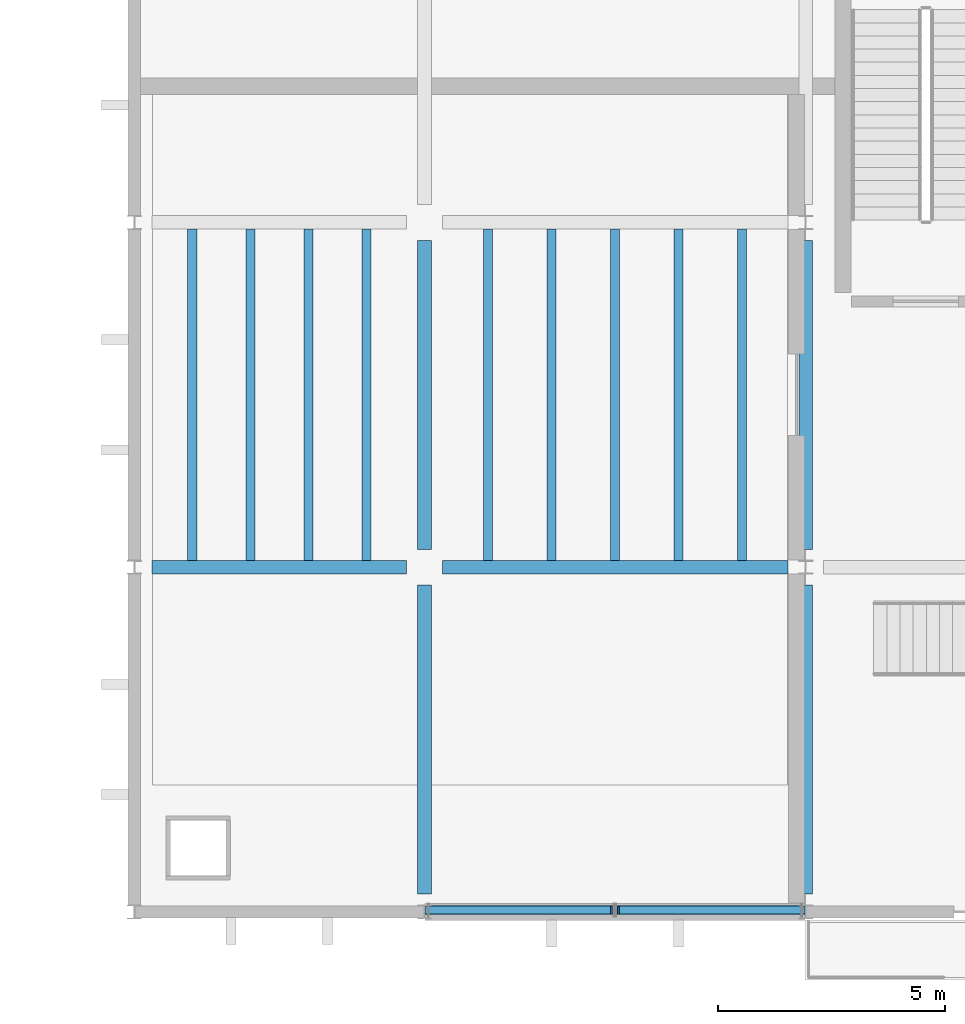
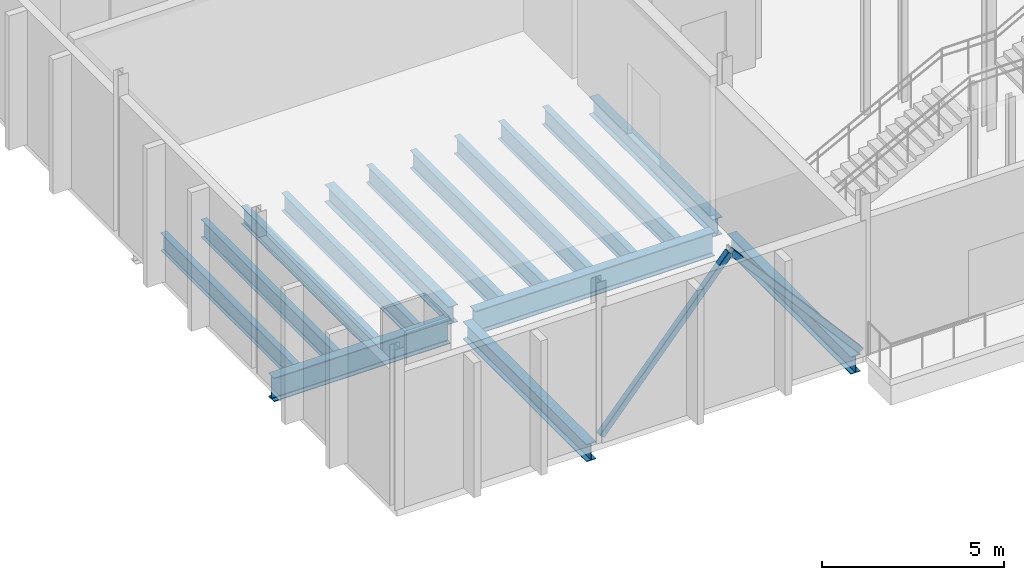
# One storey, part 20 of 95: 15 beams, 2 members.
"""IFC4 building model written with IfcOpenShell, lengths in metres."""

from ifc_helpers import new_model, si_unit, direction, frame, origin, origin_2d, place, context, subcontext, project, spatial, hollow_rectangle, i_section, extrude, material, material_profile, profile_set, type_object, element, save


model = new_model("IFC4")

# Units and contexts
model_context = context("Model", 3, precision=1e-05, world=origin(), true_north=direction((0.0, 1.0)))
body_context = subcontext(model_context, "Body", "Model", "MODEL_VIEW")
ifc_project = project(units=[si_unit("LENGTHUNIT", "METRE"), si_unit("AREAUNIT", "SQUARE_METRE"), si_unit("VOLUMEUNIT", "CUBIC_METRE"), si_unit("PLANEANGLEUNIT", "RADIAN"), si_unit("MASSUNIT", "GRAM", prefix="KILO")], contexts=[model_context])

# Site, building, storey
site_placement = place(None, origin())
site = spatial("IfcSite", under=ifc_project, at=site_placement, CompositionType="ELEMENT")
building_placement = place(site_placement, origin())
building = spatial("IfcBuilding", under=site, at=building_placement, Name="Shengluoqiao Park Theatre", CompositionType="ELEMENT")
storey_placement = place(building_placement, origin())
storey = spatial("IfcBuildingStorey", under=building, at=storey_placement, Name="L00", CompositionType="ELEMENT", Elevation=0.0)

# Beams
ifc_material_1 = material(Name="Steel Q355", Category="steel")
ifc_material_profile_1 = material_profile(ifc_material_1, i_section(OverallWidth=0.300048828125, OverallDepth=0.587890625, WebThickness=0.011962890625, FlangeThickness=0.02001953125, FilletRadius=0.02392578125, at=origin_2d()), Name="HM 588x300x12x20")
ifc_profile_set_1 = profile_set([ifc_material_profile_1], Name="Steel Q355")
beam_type_1 = type_object("IfcBeamType", Name="STR-BM-G-HM588", PredefinedType="BEAM", material=ifc_profile_set_1)
for number, where, z_axis, x_axis, name in (
    (1, (19.199951171875, 0.39404296875, -0.634033203125), (0.0, 1.0, 0.0), (-1.0, 0.0, 0.0), "L00 Transverse Girder 00195"),
    (2, (19.199951171875, 7.993896484375, -0.634033203125), (0.0, 1.0, 0.0), (-1.0, 0.0, 0.0), "L00 Transverse Girder 00196"),
    (3, (27.60009765625, 0.39404296875, -0.634033203125), (0.0, 1.0, 0.0), (-1.0, 0.0, 0.0), "L00 Transverse Girder 00198"),
    (4, (27.60009765625, 7.993896484375, -0.634033203125), (0.0, 1.0, 0.0), (-1.0, 0.0, 0.0), "L00 Transverse Girder 00199"),
):
    element("IfcBeam", number, at=place(storey_placement, frame(where, z_axis=z_axis, x_axis=x_axis)), inside=storey, type_object=beam_type_1, Name=name, PredefinedType="BEAM", context=body_context, shape_type="SweptSolid", body=[
        extrude(i_section(OverallWidth=0.300048828125, OverallDepth=0.587890625, WebThickness=0.011962890625, FlangeThickness=0.02001953125, FilletRadius=0.02392578125, at=origin_2d()), origin(), (0.0, 0.0, 1.0), 6.81201171875),
    ])
ifc_material_2 = material(Name="Steel Q390", Category="steel")
ifc_material_profile_2 = material_profile(ifc_material_2, i_section(OverallWidth=0.300048828125, OverallDepth=0.800048828125, WebThickness=0.013916015625, FlangeThickness=0.02587890625, FilletRadius=0.02587890625, at=origin_2d()), Name="HN 800x300x14x26")
ifc_profile_set_2 = profile_set([ifc_material_profile_2], Name="Steel Q390")
beam_type_2 = type_object("IfcBeamType", Name="STR-BM-G-HN800", PredefinedType="BEAM", material=ifc_profile_set_2)
beam_1_placement = place(storey_placement, frame((13.194091796875, 7.60009765625, -0.739990234375), z_axis=(1.0, 0.0, 0.0), x_axis=(0.0, 1.0, 0.0)))
element("IfcBeam", 5, at=beam_1_placement, inside=storey, type_object=beam_type_2, Name="L00 Primary Girder 00191", PredefinedType="BEAM", context=body_context, shape_type="SweptSolid", body=[
    extrude(i_section(OverallWidth=0.300048828125, OverallDepth=0.800048828125, WebThickness=0.013916015625, FlangeThickness=0.02587890625, FilletRadius=0.02587890625, at=origin_2d()), origin(), (0.0, 0.0, 1.0), 5.61181640625),
])
beam_2_placement = place(storey_placement, frame((19.593994140625, 7.60009765625, -0.739990234375), z_axis=(1.0, 0.0, 0.0), x_axis=(0.0, 1.0, 0.0)))
element("IfcBeam", 6, at=beam_2_placement, inside=storey, type_object=beam_type_2, Name="L00 Primary Girder 00192", PredefinedType="BEAM", context=body_context, shape_type="SweptSolid", body=[
    extrude(i_section(OverallWidth=0.300048828125, OverallDepth=0.800048828125, WebThickness=0.013916015625, FlangeThickness=0.02587890625, FilletRadius=0.02587890625, at=origin_2d()), origin(), (0.0, 0.0, 1.0), 7.612060546875),
])
ifc_material_profile_3 = material_profile(ifc_material_1, i_section(OverallWidth=0.199951171875, OverallDepth=0.60009765625, WebThickness=0.010986328125, FlangeThickness=0.01708984375, FilletRadius=0.02001953125, at=origin_2d()), Name="HN 600x200x11x17")
ifc_profile_set_3 = profile_set([ifc_material_profile_3], Name="Steel Q355")
beam_type_3 = type_object("IfcBeamType", Name="STR-BM-J-HN600", PredefinedType="JOIST", material=ifc_profile_set_3)
for number, where, z_axis, x_axis, name in (
    (7, (14.080078125, 7.7451171875, -0.639892578125), (0.0, 1.0, 0.0), (-1.0, 0.0, 0.0), "L00 Composite Joist 00201"),
    (8, (15.360107421875, 7.7451171875, -0.639892578125), (0.0, 1.0, 0.0), (-1.0, 0.0, 0.0), "L00 Composite Joist 00202"),
    (9, (16.639892578125, 7.7451171875, -0.639892578125), (0.0, 1.0, 0.0), (-1.0, 0.0, 0.0), "L00 Composite Joist 00203"),
    (10, (17.919921875, 7.7451171875, -0.639892578125), (0.0, 1.0, 0.0), (-1.0, 0.0, 0.0), "L00 Composite Joist 00204"),
    (11, (20.60009765625, 7.7451171875, -0.639892578125), (0.0, 1.0, 0.0), (-1.0, 0.0, 0.0), "L00 Composite Joist 00205"),
    (12, (22.0, 7.7451171875, -0.639892578125), (0.0, 1.0, 0.0), (-1.0, 0.0, 0.0), "L00 Composite Joist 00206"),
    (13, (23.39990234375, 7.7451171875, -0.639892578125), (0.0, 1.0, 0.0), (-1.0, 0.0, 0.0), "L00 Composite Joist 00207"),
    (14, (24.800048828125, 7.7451171875, -0.639892578125), (0.0, 1.0, 0.0), (-1.0, 0.0, 0.0), "L00 Composite Joist 00208"),
    (15, (26.199951171875, 7.7451171875, -0.639892578125), (0.0, 1.0, 0.0), (-1.0, 0.0, 0.0), "L00 Composite Joist 00209"),
):
    element("IfcBeam", number, at=place(storey_placement, frame(where, z_axis=z_axis, x_axis=x_axis)), inside=storey, type_object=beam_type_3, Name=name, PredefinedType="JOIST", context=body_context, shape_type="SweptSolid", body=[
        extrude(i_section(OverallWidth=0.199951171875, OverallDepth=0.60009765625, WebThickness=0.010986328125, FlangeThickness=0.01708984375, FilletRadius=0.02001953125, at=origin_2d()), origin(), (0.0, 0.0, 1.0), 7.309814453125),
    ])

# Members
ifc_material_profile_4 = material_profile(ifc_material_1, hollow_rectangle(XDim=0.199951171875, YDim=0.199951171875, WallThickness=0.010009765625, InnerFilletRadius=0.010009765625, OuterFilletRadius=0.02001953125, at=origin_2d()), Name="RHS 200x200x10")
ifc_profile_set_4 = profile_set([ifc_material_profile_4], Name="Steel Q355")
member_type = type_object("IfcMemberType", Name="STR-MEM-BRR-200", PredefinedType="BRACE", material=ifc_profile_set_4)
member_1_placement = place(storey_placement, frame((19.283935546875, 0.0400390625, 0.116455078125), z_axis=(0.655036094091, 0.0, 0.755597588295), x_axis=(0.0, 1.0, 0.0)))
element("IfcMember", 16, at=member_1_placement, inside=storey, type_object=member_type, Name="L00 Chevron Brace 0031", PredefinedType="BRACE", context=body_context, shape_type="SweptSolid", body=[
    extrude(hollow_rectangle(XDim=0.199951171875, YDim=0.199951171875, WallThickness=0.010009765625, InnerFilletRadius=0.010009765625, OuterFilletRadius=0.02001953125, at=origin_2d()), origin(), (0.0, 0.0, 1.0), 6.25146484375),
])
member_2_placement = place(storey_placement, frame((27.51611328125, 0.0400390625, 0.116455078125), z_axis=(-0.65505838968, 0.0, 0.755578259421), x_axis=(0.0, -1.0, 0.0)))
element("IfcMember", 17, at=member_2_placement, inside=storey, type_object=member_type, Name="L00 Chevron Brace 0032", PredefinedType="BRACE", context=body_context, shape_type="SweptSolid", body=[
    extrude(hollow_rectangle(XDim=0.199951171875, YDim=0.199951171875, WallThickness=0.010009765625, InnerFilletRadius=0.010009765625, OuterFilletRadius=0.02001953125, at=origin_2d()), origin(), (0.0, 0.0, 1.0), 6.251708984375),
])

save(model, "model.ifc")
